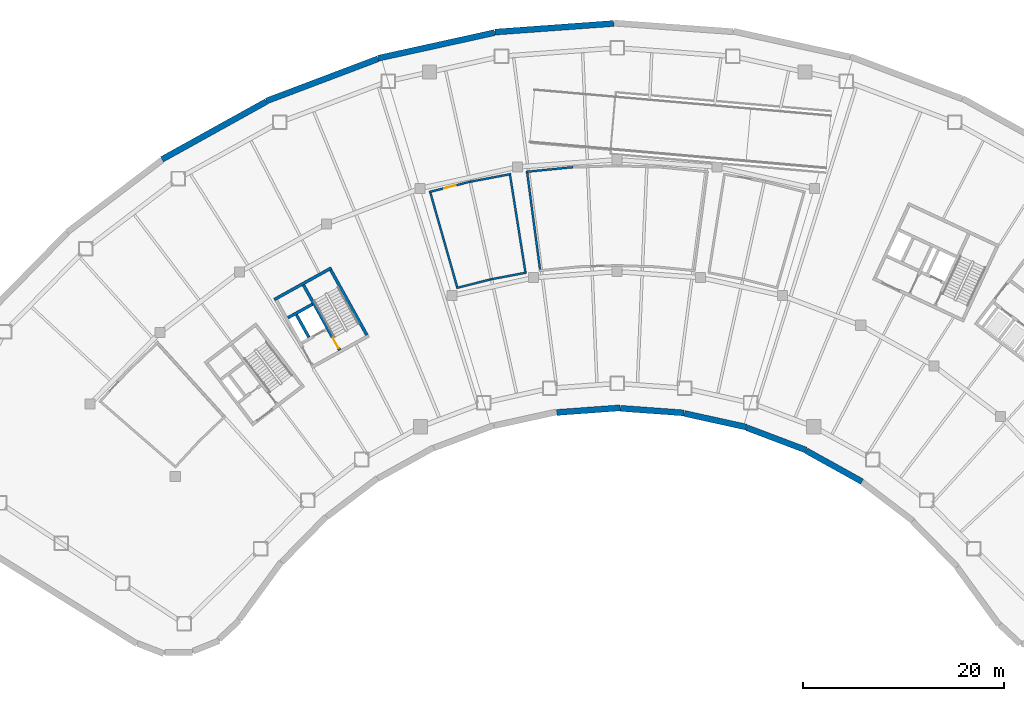
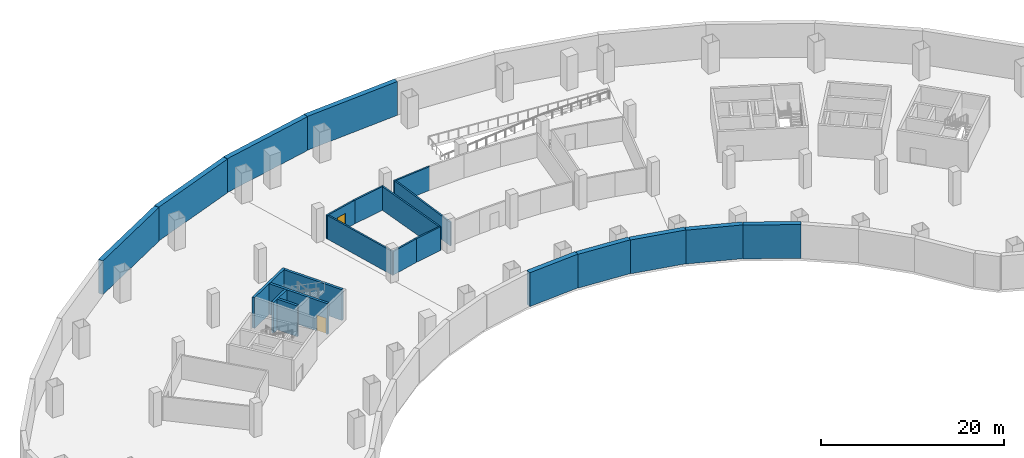
# One storey, part 5 of 11: 22 walls, 2 doors, 2 openings.
"""IFC4 building model written with IfcOpenShell, lengths in metres."""

from ifc_helpers import new_model, si_unit, direction, frame, frame_2d, origin, place, context, subcontext, project, spatial, rectangle, extrude, material, layer, layer_set, type_object, element, fill, save


model = new_model("IFC4")

# Units and contexts
model_context = context("Model", 3, precision=1e-05, world=origin(), true_north=direction((0.0, 1.0)))
body_context = subcontext(model_context, "Body", "Model", "MODEL_VIEW")
ifc_project = project(units=[si_unit("LENGTHUNIT", "METRE"), si_unit("AREAUNIT", "SQUARE_METRE"), si_unit("VOLUMEUNIT", "CUBIC_METRE"), si_unit("PLANEANGLEUNIT", "RADIAN"), si_unit("MASSUNIT", "GRAM", prefix="KILO")], contexts=[model_context])

# Site, building, storey
site_placement = place(None, origin())
site = spatial("IfcSite", under=ifc_project, at=site_placement, CompositionType="ELEMENT")
building_placement = place(site_placement, origin())
building = spatial("IfcBuilding", under=site, at=building_placement, Name="Tuul Gate Civic Tower", CompositionType="ELEMENT")
storey_placement = place(building_placement, frame((0.0, 0.0, -4.5)))
storey = spatial("IfcBuildingStorey", under=building, at=storey_placement, Name="Basement 1", CompositionType="ELEMENT", Elevation=-4.5)

# Wall, opening, door
ifc_material_1 = material(Name="Concrete block", Category="concrete")
ifc_layer_1 = layer(ifc_material_1, 0.199951171875)
ifc_layer_set_1 = layer_set([ifc_layer_1], Name="Concrete block")
wall_type_1 = type_object("IfcWallType", Name="Basement room wall EI 60", PredefinedType="PARTITIONING", material=ifc_layer_set_1)
wall_1_placement = place(storey_placement, frame((-18.715576171875, 5.569580078125, 0.0), z_axis=(0.0, 0.0, 1.0), x_axis=(0.969706746941, 0.244272030607, 0.0)))
wall_1 = element("IfcWall", 1, at=wall_1_placement, inside=storey, type_object=wall_type_1, Name="Room wall", PredefinedType="PARTITIONING", context=body_context, shape_type="SweptSolid", body=[
    extrude(rectangle(XDim=4.2666015625, YDim=0.199951171875, at=frame_2d((2.13330078125, 0.0))), origin(), (0.0, 0.0, 1.0), 3.14990234375),
])
opening_1_placement = place(wall_1_placement, frame((1.533447265625, 0.0, 0.0)))
opening_1 = element("IfcOpeningElement", 2, at=opening_1_placement, cuts=wall_1, Name="Opening PD", PredefinedType="OPENING", context=body_context, shape_type="SweptSolid", body=[
    extrude(rectangle(XDim=1.199951171875, YDim=2.10009765625, at=frame_2d((0.60009765625, 1.050048828125))), frame((0.0, 0.10986328125, 0.0), z_axis=(0.0, -1.0, 0.0), x_axis=(1.0, 0.0, 0.0)), (0.0, 0.0, 1.0), 0.219970703125),
])
ifc_material_2 = material(Name="Steel door", Category="steel")
door_type_1 = type_object("IfcDoorType", Name="Plant room door", OperationType="DOUBLE_DOOR_SINGLE_SWING", PredefinedType="DOOR", material=ifc_material_2)
door_1_placement = place(opening_1_placement, origin())
door_1 = element("IfcDoor", 3, at=door_1_placement, inside=storey, type_object=door_type_1, Name="Door", OperationType="DOUBLE_DOOR_SINGLE_SWING", OverallHeight=2.10009765625, OverallWidth=1.199951171875, PredefinedType="DOOR", context=body_context, shape_type="SweptSolid", body=[
    extrude(rectangle(XDim=1.199951171875, YDim=2.10009765625, at=frame_2d((0.60009765625, 1.050048828125))), frame((0.0, 0.02490234375, 0.0), z_axis=(0.0, -1.0, 0.0), x_axis=(1.0, 0.0, 0.0)), (0.0, 0.0, 1.0), 0.050048828125),
])
fill(opening_1, door_1)

# Walls
wall_2_placement = place(storey_placement, frame((-14.773193359375, 6.568603515625, 0.0), z_axis=(0.0, 0.0, 1.0), x_axis=(0.982546793853, 0.18601558507, 0.0)))
element("IfcWall", 4, at=wall_2_placement, inside=storey, type_object=wall_type_1, Name="Room wall", PredefinedType="PARTITIONING", context=body_context, shape_type="SweptSolid", body=[
    extrude(rectangle(XDim=4.266845703125, YDim=0.199951171875, at=frame_2d((2.13330078125, 0.0))), origin(), (0.0, 0.0, 1.0), 3.14990234375),
])
wall_3_placement = place(storey_placement, frame((-10.69482421875, 7.4423828125, 0.0), z_axis=(0.0, 0.0, 1.0), x_axis=(0.156623491175, -0.987658383254, 0.0)))
element("IfcWall", 5, at=wall_3_placement, inside=storey, type_object=wall_type_1, Name="Room wall", PredefinedType="PARTITIONING", context=body_context, shape_type="SweptSolid", body=[
    extrude(rectangle(XDim=10.12890625, YDim=0.199951171875, at=frame_2d((5.064453125, 0.0))), origin(), (0.0, 0.0, 1.0), 3.14990234375),
])
for number, where, z_axis, x_axis, name in (
    (6, (-9.02587890625, -2.444091796875, 0.0), (0.0, 0.0, 1.0), (-0.982542683543, -0.186037294693, 0.0), "Room wall"),
    (7, (-12.441162109375, -3.08447265625, 0.0), (0.0, 0.0, 1.0), (-0.969699257813, -0.244301758889, 0.0), "Room wall"),
):
    element("IfcWall", number, at=place(storey_placement, frame(where, z_axis=z_axis, x_axis=x_axis)), inside=storey, type_object=wall_type_1, Name=name, PredefinedType="PARTITIONING", context=body_context, shape_type="SweptSolid", body=[
        extrude(rectangle(XDim=3.674560546875, YDim=0.199951171875, at=frame_2d((1.83740234375, 0.0))), origin(), (0.0, 0.0, 1.0), 3.14990234375),
    ])
wall_4_placement = place(storey_placement, frame((-15.880126953125, -4.053955078125, 0.0), z_axis=(0.0, 0.0, 1.0), x_axis=(-0.273062164325, 0.961996390021, 0.0)))
element("IfcWall", 8, at=wall_4_placement, inside=storey, type_object=wall_type_1, Name="Room wall", PredefinedType="PARTITIONING", context=body_context, shape_type="SweptSolid", body=[
    extrude(rectangle(XDim=10.129150390625, YDim=0.199951171875, at=frame_2d((5.064453125, 0.0))), origin(), (0.0, 0.0, 1.0), 3.14990234375),
])
wall_5_placement = place(storey_placement, frame((-9.071044921875, 7.58251953125, 0.0), z_axis=(0.0, 0.0, 1.0), x_axis=(0.995108451583, 0.098788509398, 0.0)))
element("IfcWall", 9, at=wall_5_placement, inside=storey, type_object=wall_type_1, Name="Room wall", PredefinedType="PARTITIONING", context=body_context, shape_type="SweptSolid", body=[
    extrude(rectangle(XDim=4.697998046875, YDim=0.199951171875, at=frame_2d((2.34912109375, 0.0))), origin(), (0.0, 0.0, 1.0), 3.14990234375),
])
wall_6_placement = place(storey_placement, frame((-7.652099609375, -2.349365234375, 0.0), z_axis=(0.0, 0.0, 1.0), x_axis=(-0.131557421539, 0.991308551783, 0.0)))
element("IfcWall", 10, at=wall_6_placement, inside=storey, type_object=wall_type_1, Name="Room wall", PredefinedType="PARTITIONING", context=body_context, shape_type="SweptSolid", body=[
    extrude(rectangle(XDim=10.12890625, YDim=0.199951171875, at=frame_2d((5.064453125, 0.0))), origin(), (0.0, 0.0, 1.0), 3.14990234375),
])
ifc_material_3 = material(Name="Concrete C50/60", Category="concrete")
ifc_layer_2 = layer(ifc_material_3, 0.300048828125)
ifc_layer_set_2 = layer_set([ifc_layer_2], Name="Concrete C50/60")
wall_type_2 = type_object("IfcWallType", Name="Core wall C50/60", PredefinedType="SHEAR", material=ifc_layer_set_2)
wall_7_placement = place(storey_placement, frame((-30.327392578125, -5.59716796875, 0.0), z_axis=(0.0, 0.0, 1.0), x_axis=(-0.874629840737, -0.484791338301, 0.0)))
element("IfcWall", 11, at=wall_7_placement, inside=storey, type_object=wall_type_2, Name="Core wall", PredefinedType="SHEAR", context=body_context, shape_type="SweptSolid", body=[
    extrude(rectangle(XDim=2.800048828125, YDim=0.300048828125, at=frame_2d((1.39990234375, 0.0))), origin(), (0.0, 0.0, 1.0), 4.10009765625),
])
wall_8_placement = place(storey_placement, frame((-28.4443359375, -1.98095703125, 0.0), z_axis=(0.0, 0.0, 1.0), x_axis=(-0.874629909008, -0.484791215132, 0.0)))
element("IfcWall", 12, at=wall_8_placement, inside=storey, type_object=wall_type_2, Name="Core wall", PredefinedType="SHEAR", context=body_context, shape_type="SweptSolid", body=[
    extrude(rectangle(XDim=6.5, YDim=0.300048828125, at=frame_2d((3.25, 0.0))), origin(), (0.0, 0.0, 1.0), 4.10009765625),
])
wall_9_placement = place(storey_placement, frame((-24.91552734375, -8.6572265625, 0.0), z_axis=(0.0, 0.0, 1.0), x_axis=(-0.484777133038, 0.874637714304, 0.0)))
element("IfcWall", 13, at=wall_9_placement, inside=storey, type_object=wall_type_2, Name="Core wall", PredefinedType="SHEAR", context=body_context, shape_type="SweptSolid", body=[
    extrude(rectangle(XDim=7.400146484375, YDim=0.300048828125, at=frame_2d((3.7001953125, 0.0))), origin(), (0.0, 0.0, 1.0), 4.10009765625),
])

# Wall, opening, door
wall_10_placement = place(storey_placement, frame((-27.626953125, -10.16015625, 0.0), z_axis=(0.0, 0.0, 1.0), x_axis=(-0.484751894226, 0.874651702704, 0.0)))
wall_10 = element("IfcWall", 14, at=wall_10_placement, inside=storey, type_object=wall_type_2, Name="Core wall", PredefinedType="SHEAR", context=body_context, shape_type="SweptSolid", body=[
    extrude(rectangle(XDim=7.39990234375, YDim=0.300048828125, at=frame_2d((3.699951171875, 0.0))), origin(), (0.0, 0.0, 1.0), 4.10009765625),
])
opening_2_placement = place(wall_10_placement, frame((0.199951171875, 0.0, 0.0)))
opening_2 = element("IfcOpeningElement", 15, at=opening_2_placement, cuts=wall_10, Name="Opening SD-ST-2", PredefinedType="OPENING", context=body_context, shape_type="SweptSolid", body=[
    extrude(rectangle(XDim=1.199951171875, YDim=2.10009765625, at=frame_2d((0.60009765625, 1.050048828125))), frame((0.0, 0.16015625, 0.0), z_axis=(0.0, -1.0, 0.0), x_axis=(1.0, 0.0, 0.0)), (0.0, 0.0, 1.0), 0.320068359375),
])
ifc_material_4 = material(Name="Steel", Category="steel")
door_type_2 = type_object("IfcDoorType", Name="Stair door", OperationType="NOTDEFINED", PredefinedType="DOOR", material=ifc_material_4)
door_2_placement = place(opening_2_placement, origin())
door_2 = element("IfcDoor", 16, at=door_2_placement, inside=storey, type_object=door_type_2, Name="Stair door ST-2", OperationType="SINGLE_SWING_LEFT", OverallHeight=2.10009765625, OverallWidth=1.199951171875, PredefinedType="DOOR", context=body_context, shape_type="SweptSolid", body=[
    extrude(rectangle(XDim=1.199951171875, YDim=2.10009765625, at=frame_2d((0.60009765625, 1.050048828125))), frame((0.0, 0.02490234375, 0.0), z_axis=(0.0, -1.0, 0.0), x_axis=(1.0, 0.0, 0.0)), (0.0, 0.0, 1.0), 0.050048828125),
])
fill(opening_2, door_2)

# Walls
wall_11_placement = place(storey_placement, frame((-30.680419921875, -8.8798828125, 0.0), z_axis=(0.0, 0.0, 1.0), x_axis=(-0.484724115216, 0.874667097888, 0.0)))
element("IfcWall", 17, at=wall_11_placement, inside=storey, type_object=wall_type_2, Name="Core wall", PredefinedType="SHEAR", context=body_context, shape_type="SweptSolid", body=[
    extrude(rectangle(XDim=2.550048828125, YDim=0.300048828125, at=frame_2d((1.27490234375, 0.0))), origin(), (0.0, 0.0, 1.0), 4.10009765625),
])
ifc_material_5 = material(Name="Concrete C40/50", Category="concrete")
ifc_layer_3 = layer(ifc_material_5, 0.60009765625)
ifc_layer_set_3 = layer_set([ifc_layer_3], Name="Concrete C40/50")
wall_type_3 = type_object("IfcWallType", Name="STR-BASEMENT-WALL-600", PredefinedType="SOLIDWALL", material=ifc_layer_set_3)
wall_12_placement = place(storey_placement, frame((-0.3408203125, 22.346435546875, 0.0), z_axis=(0.0, 0.0, 1.0), x_axis=(-0.99738449488, -0.072278415685, 0.0)))
element("IfcWall", 18, at=wall_12_placement, inside=storey, type_object=wall_type_3, Name="Retaining wall", PredefinedType="SOLIDWALL", context=body_context, shape_type="SweptSolid", body=[
    extrude(rectangle(XDim=11.859375, YDim=0.60009765625, at=frame_2d((5.9296875, 0.0))), origin(), (0.0, 0.0, 1.0), 4.5),
])
wall_13_placement = place(storey_placement, frame((-12.20361328125, 21.4375, 0.0), z_axis=(0.0, 0.0, 1.0), x_axis=(-0.976558083029, -0.21525406029, 0.0)))
element("IfcWall", 19, at=wall_13_placement, inside=storey, type_object=wall_type_3, Name="Retaining wall", PredefinedType="SOLIDWALL", context=body_context, shape_type="SweptSolid", body=[
    extrude(rectangle(XDim=11.8603515625, YDim=0.60009765625, at=frame_2d((5.93017578125, 0.0))), origin(), (0.0, 0.0, 1.0), 4.5),
])
wall_14_placement = place(storey_placement, frame((-23.8125, 18.828125, 0.0), z_axis=(0.0, 0.0, 1.0), x_axis=(-0.935370574705, -0.353669178719, 0.0)))
element("IfcWall", 20, at=wall_14_placement, inside=storey, type_object=wall_type_3, Name="Retaining wall", PredefinedType="SOLIDWALL", context=body_context, shape_type="SweptSolid", body=[
    extrude(rectangle(XDim=11.859375, YDim=0.60009765625, at=frame_2d((5.9296875, 0.0))), origin(), (0.0, 0.0, 1.0), 4.5),
])
wall_15_placement = place(storey_placement, frame((-34.923828125, 14.574462890625, 0.0), z_axis=(0.0, 0.0, 1.0), x_axis=(-0.874605516803, -0.484835219407, 0.0)))
element("IfcWall", 21, at=wall_15_placement, inside=storey, type_object=wall_type_3, Name="Retaining wall", PredefinedType="SOLIDWALL", context=body_context, shape_type="SweptSolid", body=[
    extrude(rectangle(XDim=11.859619140625, YDim=0.60009765625, at=frame_2d((5.9296875, 0.0))), origin(), (0.0, 0.0, 1.0), 4.5),
])
wall_16_placement = place(storey_placement, frame((-6.01025390625, -16.365234375, 0.0), z_axis=(0.0, 0.0, 1.0), x_axis=(0.997389672228, 0.07220693688, 0.0)))
element("IfcWall", 22, at=wall_16_placement, inside=storey, type_object=wall_type_3, Name="Retaining wall", PredefinedType="SOLIDWALL", context=body_context, shape_type="SweptSolid", body=[
    extrude(rectangle(XDim=6.326171875, YDim=0.60009765625, at=frame_2d((3.1630859375, 0.0))), origin(), (0.0, 0.0, 1.0), 4.5),
])
wall_17_placement = place(storey_placement, frame((0.3408203125, -15.95458984375, 0.0), z_axis=(0.0, 0.0, 1.0), x_axis=(0.997386690669, -0.072248109157, 0.0)))
element("IfcWall", 23, at=wall_17_placement, inside=storey, type_object=wall_type_3, Name="Retaining wall", PredefinedType="SOLIDWALL", context=body_context, shape_type="SweptSolid", body=[
    extrude(rectangle(XDim=6.325927734375, YDim=0.60009765625, at=frame_2d((3.1630859375, 0.0))), origin(), (0.0, 0.0, 1.0), 4.5),
])
wall_18_placement = place(storey_placement, frame((6.6845703125, -16.463623046875, 0.0), z_axis=(0.0, 0.0, 1.0), x_axis=(0.97658498235, -0.215131987971, 0.0)))
element("IfcWall", 24, at=wall_18_placement, inside=storey, type_object=wall_type_3, Name="Retaining wall", PredefinedType="SOLIDWALL", context=body_context, shape_type="SweptSolid", body=[
    extrude(rectangle(XDim=6.32568359375, YDim=0.60009765625, at=frame_2d((3.162841796875, 0.0))), origin(), (0.0, 0.0, 1.0), 4.5),
])
wall_19_placement = place(storey_placement, frame((12.888427734375, -17.880859375, 0.0), z_axis=(0.0, 0.0, 1.0), x_axis=(0.93537253931, -0.353663982764, 0.0)))
element("IfcWall", 25, at=wall_19_placement, inside=storey, type_object=wall_type_3, Name="Retaining wall", PredefinedType="SOLIDWALL", context=body_context, shape_type="SweptSolid", body=[
    extrude(rectangle(XDim=6.326171875, YDim=0.60009765625, at=frame_2d((3.1630859375, 0.0))), origin(), (0.0, 0.0, 1.0), 4.5),
])
wall_20_placement = place(storey_placement, frame((18.82373046875, -20.177490234375, 0.0), z_axis=(0.0, 0.0, 1.0), x_axis=(0.874651922409, -0.484751497807, 0.0)))
element("IfcWall", 26, at=wall_20_placement, inside=storey, type_object=wall_type_3, Name="Retaining wall", PredefinedType="SOLIDWALL", context=body_context, shape_type="SweptSolid", body=[
    extrude(rectangle(XDim=6.32666015625, YDim=0.60009765625, at=frame_2d((3.163330078125, 0.0))), origin(), (0.0, 0.0, 1.0), 4.5),
])

save(model, "model.ifc")
